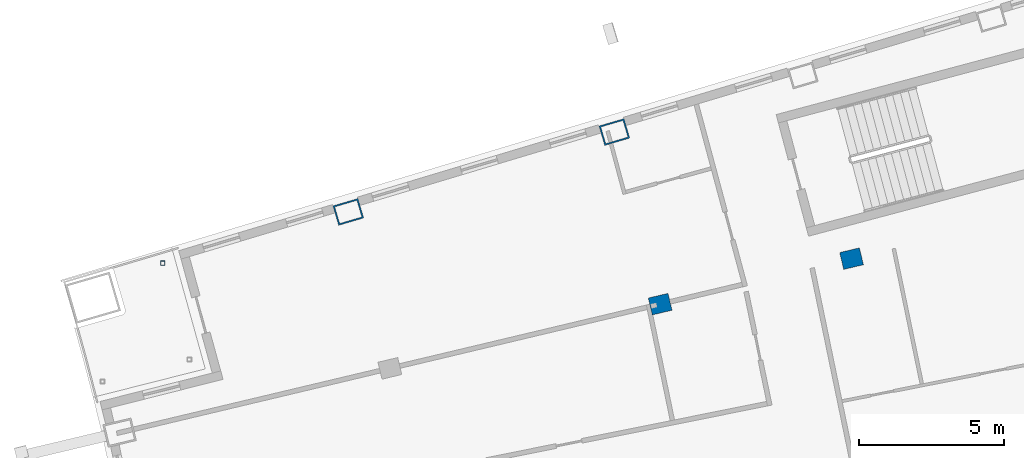
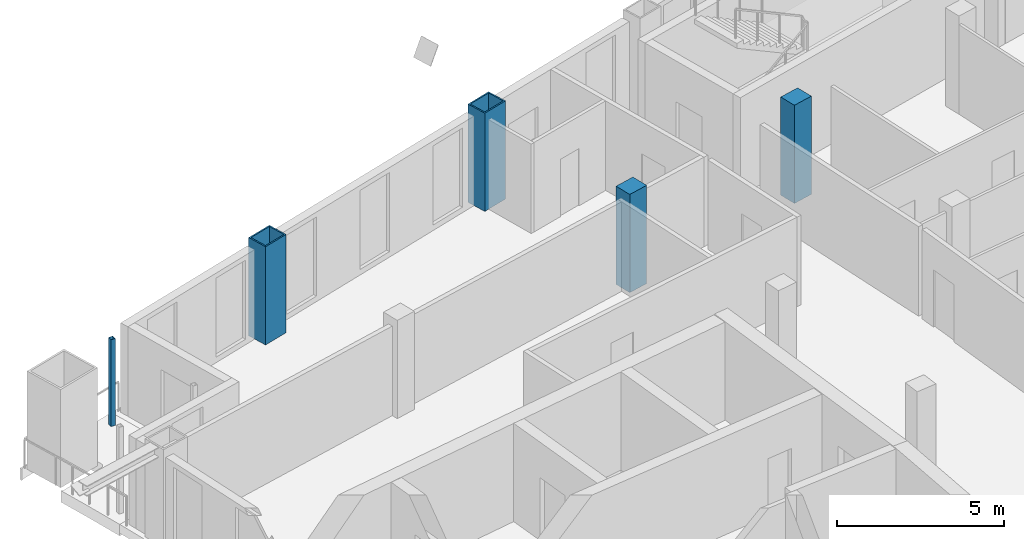
# One storey, part 5 of 17: 5 columns.
"""IFC4 building model written with IfcOpenShell, lengths in metres."""

from ifc_helpers import new_model, si_unit, direction, frame, origin, origin_2d, place, context, subcontext, project, spatial, rectangle, hollow_rectangle, extrude, material, material_profile, profile_set, type_object, element, save


model = new_model("IFC4")

# Units and contexts
model_context = context("Model", 3, precision=1e-05, world=origin(), true_north=direction((0.0, 1.0)))
body_context = subcontext(model_context, "Body", "Model", "MODEL_VIEW")
ifc_project = project(units=[si_unit("LENGTHUNIT", "METRE"), si_unit("AREAUNIT", "SQUARE_METRE"), si_unit("VOLUMEUNIT", "CUBIC_METRE"), si_unit("PLANEANGLEUNIT", "RADIAN"), si_unit("MASSUNIT", "GRAM", prefix="KILO")], contexts=[model_context])

# Site, building, storey
site_placement = place(None, origin())
site = spatial("IfcSite", under=ifc_project, at=site_placement, CompositionType="ELEMENT")
building_placement = place(site_placement, origin())
building = spatial("IfcBuilding", under=site, at=building_placement, Name="Alderwake Tower", CompositionType="ELEMENT")
storey_placement = place(building_placement, frame((0.0, 0.0, 274.39990234375)))
storey = spatial("IfcBuildingStorey", under=building, at=storey_placement, Name="L68", CompositionType="ELEMENT", Elevation=274.39990234375)

# Columns
ifc_material_1 = material(Name="Steel ASTM A572 Grade 50 concrete filled C70/85", Category="concrete")
ifc_material_profile_1 = material_profile(ifc_material_1, hollow_rectangle(XDim=0.699951171875, YDim=0.89990234375, WallThickness=0.050048828125, at=origin_2d()), Name="BOX 900X700X50")
ifc_profile_set_1 = profile_set([ifc_material_profile_1], Name="Steel ASTM A572 Grade 50 concrete filled C70/85")
column_type_1 = type_object("IfcColumnType", Name="End column Z5", PredefinedType="COLUMN", material=ifc_profile_set_1)
for number, where, z_axis, x_axis, name in (
    (1, (21.885498046875, 90.96240234375, 0.0), (0.0, 0.0, 1.0), (-0.282132160283, 0.95937554906, 0.0), "Column R12-C1"),
    (2, (31.080322265625, 93.72314453125, 0.0), (0.0, 0.0, 1.0), (-0.282582549822, 0.959242984095, 0.0), "Column R12-C2"),
):
    element("IfcColumn", number, at=place(storey_placement, frame(where, z_axis=z_axis, x_axis=x_axis)), inside=storey, type_object=column_type_1, Name=name, PredefinedType="COLUMN", context=body_context, shape_type="SweptSolid", body=[
        extrude(hollow_rectangle(XDim=0.699951171875, YDim=0.89990234375, WallThickness=0.050048828125, at=origin_2d()), origin(), (0.0, 0.0, 1.0), 3.60009765625),
    ])
ifc_material_2 = material(Name="Concrete C70/85", Category="concrete")
ifc_material_profile_2 = material_profile(ifc_material_2, rectangle(XDim=0.60009765625, YDim=0.699951171875, at=origin_2d()), Name="RC 700X600")
ifc_profile_set_2 = profile_set([ifc_material_profile_2], Name="Concrete C70/85")
column_type_2 = type_object("IfcColumnType", Name="Interior column Z5", PredefinedType="COLUMN", material=ifc_profile_set_2)
for number, where, z_axis, x_axis, name in (
    (3, (32.661865234375, 87.775390625, 0.0), (0.0, 0.0, 1.0), (-0.231221547198, 0.972901123502, 0.0), "Column R11-C2"),
    (4, (39.277587890625, 89.347900390625, 0.0), (0.0, 0.0, 1.0), (-0.231221547198, 0.972901123502, 0.0), "Column R11-C3"),
):
    element("IfcColumn", number, at=place(storey_placement, frame(where, z_axis=z_axis, x_axis=x_axis)), inside=storey, type_object=column_type_2, Name=name, PredefinedType="COLUMN", context=body_context, shape_type="SweptSolid", body=[
        extrude(rectangle(XDim=0.60009765625, YDim=0.699951171875, at=origin_2d()), origin(), (0.0, 0.0, 1.0), 3.60009765625),
    ])
ifc_material_3 = material(Name="Steel ASTM A500 Grade C", Category="steel")
ifc_material_profile_3 = material_profile(ifc_material_3, hollow_rectangle(XDim=0.15234375, YDim=0.15234375, WallThickness=0.0087890625, at=origin_2d()), Name="HSS6X6X3/8")
ifc_profile_set_3 = profile_set([ifc_material_profile_3], Name="Steel ASTM A500 Grade C")
column_type_3 = type_object("IfcColumnType", Name="Light post HSS6X6X3/8", PredefinedType="COLUMN", material=ifc_profile_set_3)
column_placement = place(storey_placement, frame((15.47412109375, 89.194091796875, 0.0), z_axis=(0.0, 0.0, 1.0), x_axis=(1.0, 0.0, 0.0)))
element("IfcColumn", 5, at=column_placement, inside=storey, type_object=column_type_3, Name="Terrace post RN2", PredefinedType="COLUMN", context=body_context, shape_type="SweptSolid", body=[
    extrude(hollow_rectangle(XDim=0.15234375, YDim=0.15234375, WallThickness=0.0087890625, at=origin_2d()), origin(), (0.0, 0.0, 1.0), 3.18017578125),
])

save(model, "model.ifc")
